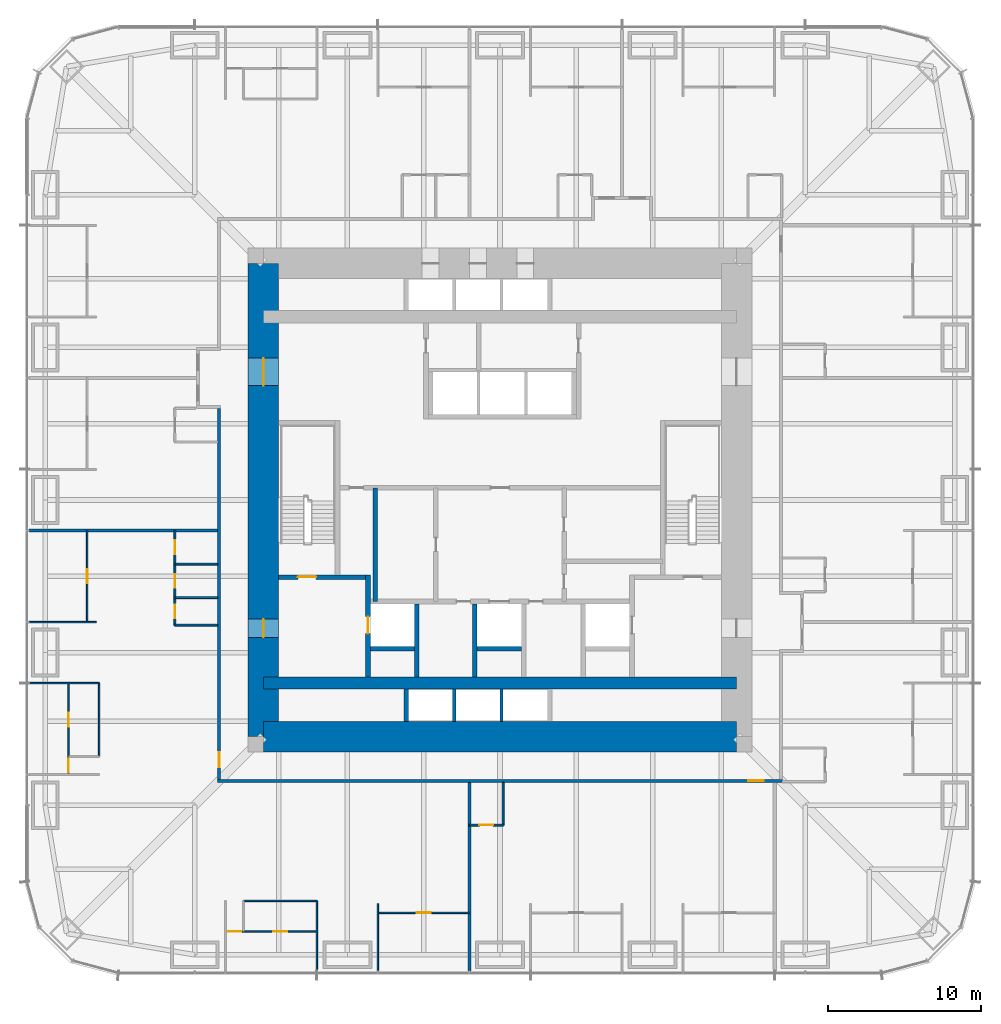
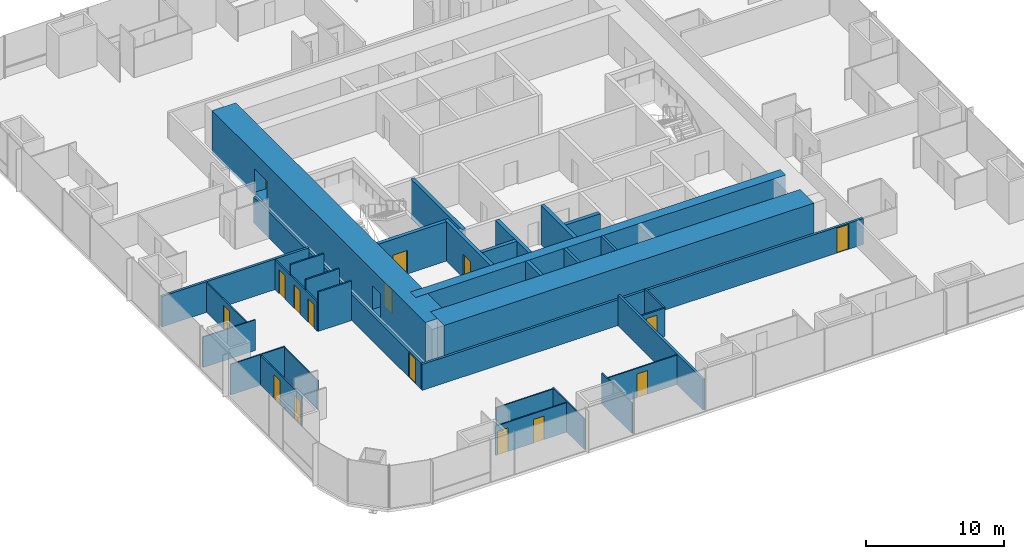
# One storey, part 12 of 17: 33 walls, 16 doors, 16 openings.
"""IFC4 building model written with IfcOpenShell, lengths in metres."""

from ifc_helpers import new_model, si_unit, direction, frame, frame_2d, origin, place, context, subcontext, project, spatial, rectangle, extrude, material, layer, layer_set, type_object, element, fill, save


model = new_model("IFC4")

# Units and contexts
model_context = context("Model", 3, precision=1e-05, world=origin(), true_north=direction((0.0, 1.0)))
body_context = subcontext(model_context, "Body", "Model", "MODEL_VIEW")
ifc_project = project(units=[si_unit("LENGTHUNIT", "METRE"), si_unit("AREAUNIT", "SQUARE_METRE"), si_unit("VOLUMEUNIT", "CUBIC_METRE"), si_unit("PLANEANGLEUNIT", "RADIAN"), si_unit("MASSUNIT", "GRAM", prefix="KILO")], contexts=[model_context])

# Site, building, storey
site_placement = place(None, origin())
site = spatial("IfcSite", under=ifc_project, at=site_placement, CompositionType="ELEMENT")
building_placement = place(site_placement, origin())
building = spatial("IfcBuilding", under=site, at=building_placement, Name="Khuree Lantern Residences", CompositionType="ELEMENT")
storey_placement = place(building_placement, frame((0.0, 0.0, 84.75)))
storey = spatial("IfcBuildingStorey", under=building, at=storey_placement, Name="L21", CompositionType="ELEMENT", Elevation=84.75)

# Wall, openings, doors
ifc_material_1 = material(Name="Moisture-resistant gypsum board on steel studs", Category="steel")
ifc_layer_1 = layer(ifc_material_1, 0.125)
ifc_layer_set_1 = layer_set([ifc_layer_1], Name="BATHROOM WALL BTW125")
wall_type_1 = type_object("IfcWallType", Name="BATHROOM WALL BTW125", PredefinedType="PARTITIONING", material=ifc_layer_set_1)
wall_1_placement = place(storey_placement, frame((-21.300048828125, -2.0, 0.0), z_axis=(0.0, 0.0, 1.0), x_axis=(0.0, -1.0, 0.0)))
wall_1 = element("IfcWall", 1, at=wall_1_placement, inside=storey, type_object=wall_type_1, Name="L21 BATHROOM WALL 07", PredefinedType="PARTITIONING", context=body_context, shape_type="SweptSolid", body=[
    extrude(rectangle(XDim=6.199951171875, YDim=0.125, at=frame_2d((3.10009765625, 0.0))), origin(), (0.0, 0.0, 1.0), 2.610107421875),
])
opening_1_placement = place(wall_1_placement, frame((0.64990234375, 0.0, 0.0)))
opening_1 = element("IfcOpeningElement", 2, at=opening_1_placement, cuts=wall_1, Name="Opening 21-050", PredefinedType="OPENING", context=body_context, shape_type="SweptSolid", body=[
    extrude(rectangle(XDim=0.89990234375, YDim=2.10009765625, at=frame_2d((0.449951171875, 1.050048828125))), frame((0.0, 0.072509765625, 0.0), z_axis=(0.0, -1.0, 0.0), x_axis=(1.0, 0.0, 0.0)), (0.0, 0.0, 1.0), 0.14501953125),
])
opening_2_placement = place(wall_1_placement, frame((2.85009765625, 0.0, 0.0)))
opening_2 = element("IfcOpeningElement", 3, at=opening_2_placement, cuts=wall_1, Name="Opening 21-051", PredefinedType="OPENING", context=body_context, shape_type="SweptSolid", body=[
    extrude(rectangle(XDim=0.89990234375, YDim=2.10009765625, at=frame_2d((0.449951171875, 1.050048828125))), frame((0.0, 0.072509765625, 0.0), z_axis=(0.0, -1.0, 0.0), x_axis=(1.0, 0.0, 0.0)), (0.0, 0.0, 1.0), 0.14501953125),
])
opening_3_placement = place(wall_1_placement, frame((4.85009765625, 0.0, 0.0)))
opening_3 = element("IfcOpeningElement", 4, at=opening_3_placement, cuts=wall_1, Name="Opening 21-052", PredefinedType="OPENING", context=body_context, shape_type="SweptSolid", body=[
    extrude(rectangle(XDim=0.89990234375, YDim=2.10009765625, at=frame_2d((0.449951171875, 1.050048828125))), frame((0.0, 0.072509765625, 0.0), z_axis=(0.0, -1.0, 0.0), x_axis=(1.0, 0.0, 0.0)), (0.0, 0.0, 1.0), 0.14501953125),
])
ifc_material_2 = material(Name="Timber door leaf in hardwood frame", Category="wood")
door_type_1 = type_object("IfcDoorType", Name="BATHROOM DOOR 900X2100", OperationType="SINGLE_SWING_LEFT", PredefinedType="DOOR", material=ifc_material_2)
door_1_placement = place(opening_1_placement, origin())
door_1 = element("IfcDoor", 5, at=door_1_placement, inside=storey, type_object=door_type_1, Name="Bathroom door 21-050", OperationType="SINGLE_SWING_LEFT", OverallHeight=2.10009765625, OverallWidth=0.89990234375, PredefinedType="DOOR", context=body_context, shape_type="SweptSolid", body=[
    extrude(rectangle(XDim=0.89990234375, YDim=2.10009765625, at=frame_2d((0.449951171875, 1.050048828125))), frame((0.0, 0.02490234375, 0.0), z_axis=(0.0, -1.0, 0.0), x_axis=(1.0, 0.0, 0.0)), (0.0, 0.0, 1.0), 0.050048828125),
])
fill(opening_1, door_1)
door_2_placement = place(opening_2_placement, origin())
door_2 = element("IfcDoor", 6, at=door_2_placement, inside=storey, type_object=door_type_1, Name="Bathroom door 21-051", OperationType="SINGLE_SWING_LEFT", OverallHeight=2.10009765625, OverallWidth=0.89990234375, PredefinedType="DOOR", context=body_context, shape_type="SweptSolid", body=[
    extrude(rectangle(XDim=0.89990234375, YDim=2.10009765625, at=frame_2d((0.449951171875, 1.050048828125))), frame((0.0, 0.02490234375, 0.0), z_axis=(0.0, -1.0, 0.0), x_axis=(1.0, 0.0, 0.0)), (0.0, 0.0, 1.0), 0.050048828125),
])
fill(opening_2, door_2)
door_type_2 = type_object("IfcDoorType", Name="DOOR 900X2100", OperationType="SINGLE_SWING_LEFT", PredefinedType="DOOR", material=ifc_material_2)
door_3_placement = place(opening_3_placement, origin())
door_3 = element("IfcDoor", 7, at=door_3_placement, inside=storey, type_object=door_type_2, Name="Store door 21-052", OperationType="SINGLE_SWING_LEFT", OverallHeight=2.10009765625, OverallWidth=0.89990234375, PredefinedType="DOOR", context=body_context, shape_type="SweptSolid", body=[
    extrude(rectangle(XDim=0.89990234375, YDim=2.10009765625, at=frame_2d((0.449951171875, 1.050048828125))), frame((0.0, 0.02490234375, 0.0), z_axis=(0.0, -1.0, 0.0), x_axis=(1.0, 0.0, 0.0)), (0.0, 0.0, 1.0), 0.050048828125),
])
fill(opening_3, door_3)

# Walls
for number, where, z_axis, x_axis, name in (
    (8, (-18.5, -4.199951171875, 0.0), (0.0, 0.0, 1.0), (-1.0, 0.0, 0.0), "L21 BATHROOM WALL 07"),
    (9, (-18.5, -6.39990234375, 0.0), (0.0, 0.0, 1.0), (-1.0, 0.0, 0.0), "L21 BATHROOM WALL 07"),
    (10, (-18.5, -8.199951171875, 0.0), (0.0, 0.0, 1.0), (-1.0, 0.0, 0.0), "L21 BATHROOM WALL 07"),
):
    element("IfcWall", number, at=place(storey_placement, frame(where, z_axis=z_axis, x_axis=x_axis)), inside=storey, type_object=wall_type_1, Name=name, PredefinedType="PARTITIONING", context=body_context, shape_type="SweptSolid", body=[
        extrude(rectangle(XDim=2.800048828125, YDim=0.125, at=frame_2d((1.39990234375, 0.0))), origin(), (0.0, 0.0, 1.0), 3.5),
    ])

# Wall, opening, door
wall_2_placement = place(storey_placement, frame((-2.0, -21.300048828125, 0.0), z_axis=(0.0, 0.0, 1.0), x_axis=(1.0, 0.0, 0.0)))
wall_2 = element("IfcWall", 11, at=wall_2_placement, inside=storey, type_object=wall_type_1, Name="L21 BATHROOM WALL 08", PredefinedType="PARTITIONING", context=body_context, shape_type="SweptSolid", body=[
    extrude(rectangle(XDim=2.199951171875, YDim=0.125, at=frame_2d((1.10009765625, 0.0))), origin(), (0.0, 0.0, 1.0), 2.491943359375),
])
opening_4_placement = place(wall_2_placement, frame((0.64990234375, 0.0, 0.0)))
opening_4 = element("IfcOpeningElement", 12, at=opening_4_placement, cuts=wall_2, Name="Opening 21-056", PredefinedType="OPENING", context=body_context, shape_type="SweptSolid", body=[
    extrude(rectangle(XDim=0.89990234375, YDim=2.10009765625, at=frame_2d((0.449951171875, 1.050048828125))), frame((0.0, 0.072509765625, 0.0), z_axis=(0.0, -1.0, 0.0), x_axis=(1.0, 0.0, 0.0)), (0.0, 0.0, 1.0), 0.14501953125),
])
door_4_placement = place(opening_4_placement, origin())
door_4 = element("IfcDoor", 13, at=door_4_placement, inside=storey, type_object=door_type_1, Name="Bathroom door 21-056", OperationType="SINGLE_SWING_LEFT", OverallHeight=2.10009765625, OverallWidth=0.89990234375, PredefinedType="DOOR", context=body_context, shape_type="SweptSolid", body=[
    extrude(rectangle(XDim=0.89990234375, YDim=2.10009765625, at=frame_2d((0.449951171875, 1.050048828125))), frame((0.0, 0.02490234375, 0.0), z_axis=(0.0, -1.0, 0.0), x_axis=(1.0, 0.0, 0.0)), (0.0, 0.0, 1.0), 0.050048828125),
])
fill(opening_4, door_4)

# Wall
wall_3_placement = place(storey_placement, frame((0.199951171875, -18.5, 0.0), z_axis=(0.0, 0.0, 1.0), x_axis=(0.0, -1.0, 0.0)))
element("IfcWall", 14, at=wall_3_placement, inside=storey, type_object=wall_type_1, Name="L21 BATHROOM WALL 08", PredefinedType="PARTITIONING", context=body_context, shape_type="SweptSolid", body=[
    extrude(rectangle(XDim=2.800048828125, YDim=0.125, at=frame_2d((1.39990234375, 0.0))), origin(), (0.0, 0.0, 1.0), 2.491943359375),
])

# Wall, opening, door
ifc_material_3 = material(Name="Dense concrete blockwork", Category="masonry")
ifc_layer_2 = layer(ifc_material_3, 0.300048828125)
ifc_layer_set_2 = layer_set([ifc_layer_2], Name="CORE PARTITION WALL CPW300 EI 120")
wall_type_2 = type_object("IfcWallType", Name="CORE PARTITION WALL CPW300 EI 120", PredefinedType="PARTITIONING", material=ifc_layer_set_2)
wall_4_placement = place(storey_placement, frame((-8.64990234375, -11.60009765625, 0.0), z_axis=(0.0, 0.0, 1.0), x_axis=(0.0, 1.0, 0.0)))
wall_4 = element("IfcWall", 15, at=wall_4_placement, inside=storey, type_object=wall_type_2, Name="L21 CORE WALL FL1W", PredefinedType="PARTITIONING", context=body_context, shape_type="SweptSolid", body=[
    extrude(rectangle(XDim=6.7001953125, YDim=0.300048828125, at=frame_2d((3.35009765625, 0.0))), origin(), (0.0, 0.0, 1.0), 3.5),
])
opening_5_placement = place(wall_4_placement, frame((2.85009765625, 0.0, 0.0)))
opening_5 = element("IfcOpeningElement", 16, at=opening_5_placement, cuts=wall_4, Name="Opening 21-007", PredefinedType="OPENING", context=body_context, shape_type="SweptSolid", body=[
    extrude(rectangle(XDim=1.10009765625, YDim=2.10009765625, at=frame_2d((0.550048828125, 1.050048828125))), frame((0.0, 0.16015625, 0.0), z_axis=(0.0, -1.0, 0.0), x_axis=(1.0, 0.0, 0.0)), (0.0, 0.0, 1.0), 0.320068359375),
])
ifc_material_4 = material(Name="Stainless steel lift landing door", Category="steel")
door_type_3 = type_object("IfcDoorType", Name="LIFT LANDING DOOR 1100X2100 E 120", OperationType="DOUBLE_DOOR_SLIDING", PredefinedType="DOOR", material=ifc_material_4)
door_5_placement = place(opening_5_placement, origin())
door_5 = element("IfcDoor", 17, at=door_5_placement, inside=storey, type_object=door_type_3, Name="Landing door FL1 21-007", OperationType="DOUBLE_DOOR_SLIDING", OverallHeight=2.10009765625, OverallWidth=1.10009765625, PredefinedType="DOOR", context=body_context, shape_type="SweptSolid", body=[
    extrude(rectangle(XDim=1.10009765625, YDim=2.10009765625, at=frame_2d((0.550048828125, 1.050048828125))), frame((0.0, 0.02490234375, 0.0), z_axis=(0.0, -1.0, 0.0), x_axis=(1.0, 0.0, 0.0)), (0.0, 0.0, 1.0), 0.050048828125),
])
fill(opening_5, door_5)

# Walls
for number, where, z_axis, x_axis, name in (
    (18, (-5.449951171875, -11.60009765625, 0.0), (0.0, 0.0, 1.0), (0.0, 1.0, 0.0), "L21 CORE WALL FL1E"),
    (19, (-1.64990234375, -11.60009765625, 0.0), (0.0, 0.0, 1.0), (0.0, 1.0, 0.0), "L21 CORE WALL SL1W"),
):
    element("IfcWall", number, at=place(storey_placement, frame(where, z_axis=z_axis, x_axis=x_axis)), inside=storey, type_object=wall_type_2, Name=name, PredefinedType="PARTITIONING", context=body_context, shape_type="SweptSolid", body=[
        extrude(rectangle(XDim=4.800048828125, YDim=0.300048828125, at=frame_2d((2.39990234375, 0.0))), origin(), (0.0, 0.0, 1.0), 3.5),
    ])
for number, where, z_axis, x_axis, name in (
    (20, (-8.5, -9.75, 0.0), (0.0, 0.0, 1.0), (1.0, 0.0, 0.0), "L21 CORE WALL FL1S"),
    (21, (-1.5, -9.75, 0.0), (0.0, 0.0, 1.0), (1.0, 0.0, 0.0), "L21 CORE WALL SL1S"),
):
    element("IfcWall", number, at=place(storey_placement, frame(where, z_axis=z_axis, x_axis=x_axis)), inside=storey, type_object=wall_type_2, Name=name, PredefinedType="PARTITIONING", context=body_context, shape_type="SweptSolid", body=[
        extrude(rectangle(XDim=2.89990234375, YDim=0.300048828125, at=frame_2d((1.449951171875, 0.0))), origin(), (0.0, 0.0, 1.0), 3.5),
    ])
wall_5_placement = place(storey_placement, frame((-6.14990234375, -14.5, 0.0), z_axis=(0.0, 0.0, 1.0), x_axis=(0.0, 1.0, 0.0)))
element("IfcWall", 22, at=wall_5_placement, inside=storey, type_object=wall_type_2, Name="L21 CORE WALL PMW", PredefinedType="PARTITIONING", context=body_context, shape_type="SweptSolid", body=[
    extrude(rectangle(XDim=2.10009765625, YDim=0.300048828125, at=frame_2d((1.050048828125, 0.0))), origin(), (0.0, 0.0, 1.0), 3.5),
])
wall_6_placement = place(storey_placement, frame((-8.1630859375, -6.64990234375, 0.0), z_axis=(0.0, 0.0, 1.0), x_axis=(0.0, 1.0, 0.0)))
element("IfcWall", 23, at=wall_6_placement, inside=storey, type_object=wall_type_2, Name="L21 CORE WALL WV", PredefinedType="PARTITIONING", context=body_context, shape_type="SweptSolid", body=[
    extrude(rectangle(XDim=7.449951171875, YDim=0.300048828125, at=frame_2d((3.72509765625, 0.0))), origin(), (0.0, 0.0, 1.0), 3.5),
])

# Wall, opening, door
ifc_material_5 = material(Name="Gypsum board on steel studs", Category="steel")
ifc_layer_3 = layer(ifc_material_5, 0.199951171875)
ifc_layer_set_3 = layer_set([ifc_layer_3], Name="CORRIDOR WALL CRW200 EI 60")
wall_type_3 = type_object("IfcWallType", Name="CORRIDOR WALL CRW200 EI 60", PredefinedType="PARTITIONING", material=ifc_layer_set_3)
wall_7_placement = place(storey_placement, frame((-18.39990234375, 6.0, 0.0), z_axis=(0.0, 0.0, 1.0), x_axis=(0.0, -1.0, 0.0)))
wall_7 = element("IfcWall", 24, at=wall_7_placement, inside=storey, type_object=wall_type_3, Name="L21 CORRIDOR WALL WEST 2", PredefinedType="PARTITIONING", context=body_context, shape_type="SweptSolid", body=[
    extrude(rectangle(XDim=24.300048828125, YDim=0.199951171875, at=frame_2d((12.14990234375, 0.0))), origin(), (0.0, 0.0, 1.0), 2.300048828125),
])
opening_6_placement = place(wall_7_placement, frame((22.52001953125, 0.0, 0.0)))
opening_6 = element("IfcOpeningElement", 25, at=opening_6_placement, cuts=wall_7, Name="Opening 21-053", PredefinedType="OPENING", context=body_context, shape_type="SweptSolid", body=[
    extrude(rectangle(XDim=1.0, YDim=2.199951171875, at=frame_2d((0.5, 1.10009765625))), frame((0.0, 0.10986328125, 0.0), z_axis=(0.0, -1.0, 0.0), x_axis=(1.0, 0.0, 0.0)), (0.0, 0.0, 1.0), 0.219970703125),
])
door_type_4 = type_object("IfcDoorType", Name="APARTMENT ENTRANCE DOOR 1000X2200 EI 30S RIGHT HAND", OperationType="SINGLE_SWING_RIGHT", PredefinedType="DOOR", material=ifc_material_2)
door_6_placement = place(opening_6_placement, origin())
door_6 = element("IfcDoor", 26, at=door_6_placement, inside=storey, type_object=door_type_4, Name="Apartment 07 entrance door 21-053", OperationType="SINGLE_SWING_RIGHT", OverallHeight=2.199951171875, OverallWidth=1.0, PredefinedType="DOOR", context=body_context, shape_type="SweptSolid", body=[
    extrude(rectangle(XDim=1.0, YDim=2.199951171875, at=frame_2d((0.5, 1.10009765625))), frame((0.0, 0.02490234375, 0.0), z_axis=(0.0, -1.0, 0.0), x_axis=(1.0, 0.0, 0.0)), (0.0, 0.0, 1.0), 0.050048828125),
])
fill(opening_6, door_6)

wall_8_placement = place(storey_placement, frame((18.5, -18.39990234375, 0.0), z_axis=(0.0, 0.0, 1.0), x_axis=(-1.0, 0.0, 0.0)))
wall_8 = element("IfcWall", 27, at=wall_8_placement, inside=storey, type_object=wall_type_3, Name="L21 CORRIDOR WALL SOUTH 1", PredefinedType="PARTITIONING", context=body_context, shape_type="SweptSolid", body=[
    extrude(rectangle(XDim=37.0, YDim=0.199951171875, at=frame_2d((18.5, 0.0))), origin(), (0.0, 0.0, 1.0), 2.300048828125),
])
opening_7_placement = place(wall_8_placement, frame((1.22998046875, 0.0, 0.0)))
opening_7 = element("IfcOpeningElement", 28, at=opening_7_placement, cuts=wall_8, Name="Opening 21-057", PredefinedType="OPENING", context=body_context, shape_type="SweptSolid", body=[
    extrude(rectangle(XDim=1.0, YDim=2.199951171875, at=frame_2d((0.5, 1.10009765625))), frame((0.0, 0.10986328125, 0.0), z_axis=(0.0, -1.0, 0.0), x_axis=(1.0, 0.0, 0.0)), (0.0, 0.0, 1.0), 0.219970703125),
])
door_type_5 = type_object("IfcDoorType", Name="APARTMENT ENTRANCE DOOR 1000X2200 EI 30S", OperationType="SINGLE_SWING_LEFT", PredefinedType="DOOR", material=ifc_material_2)
door_7_placement = place(opening_7_placement, origin())
door_7 = element("IfcDoor", 29, at=door_7_placement, inside=storey, type_object=door_type_5, Name="Apartment 08 entrance door 21-057", OperationType="SINGLE_SWING_LEFT", OverallHeight=2.199951171875, OverallWidth=1.0, PredefinedType="DOOR", context=body_context, shape_type="SweptSolid", body=[
    extrude(rectangle(XDim=1.0, YDim=2.199951171875, at=frame_2d((0.5, 1.10009765625))), frame((0.0, 0.02490234375, 0.0), z_axis=(0.0, -1.0, 0.0), x_axis=(1.0, 0.0, 0.0)), (0.0, 0.0, 1.0), 0.050048828125),
])
fill(opening_7, door_7)

# Wall
ifc_material_6 = material(Name="Concrete C70/85", Category="concrete")
ifc_layer_4 = layer(ifc_material_6, 2.0)
ifc_layer_set_4 = layer_set([ifc_layer_4], Name="CW2000-C70 CORE WALL C70 2000")
wall_type_4 = type_object("IfcWallType", Name="CW2000-C70 CORE WALL C70 2000", PredefinedType="SHEAR", material=ifc_layer_set_4)
wall_9_placement = place(storey_placement, frame((-15.5, -15.5, -0.25), z_axis=(0.0, 0.0, 1.0), x_axis=(1.0, 0.0, 0.0)))
element("IfcWall", 30, at=wall_9_placement, inside=storey, type_object=wall_type_4, Name="Core wall S", PredefinedType="SHEAR", context=body_context, shape_type="SweptSolid", body=[
    extrude(rectangle(XDim=31.0, YDim=2.0, at=frame_2d((15.5, 0.0))), origin(), (0.0, 0.0, 1.0), 3.75),
])

# Wall, openings, doors
wall_10_placement = place(storey_placement, frame((-15.5, -15.5, -0.25), z_axis=(0.0, 0.0, 1.0), x_axis=(0.0, 1.0, 0.0)))
wall_10 = element("IfcWall", 31, at=wall_10_placement, inside=storey, type_object=wall_type_4, Name="Core wall W", PredefinedType="SHEAR", context=body_context, shape_type="SweptSolid", body=[
    extrude(rectangle(XDim=31.0, YDim=2.0, at=frame_2d((15.5, 0.0))), origin(), (0.0, 0.0, 1.0), 3.75),
])
opening_8_placement = place(wall_10_placement, frame((6.5, 0.0, 0.25)))
opening_8 = element("IfcOpeningElement", 32, at=opening_8_placement, cuts=wall_10, Name="Opening 21-002", PredefinedType="OPENING", context=body_context, shape_type="SweptSolid", body=[
    extrude(rectangle(XDim=1.199951171875, YDim=2.10009765625, at=frame_2d((0.60009765625, 1.050048828125))), frame((0.0, 1.010009765625, 0.0), z_axis=(0.0, -1.0, 0.0), x_axis=(1.0, 0.0, 0.0)), (0.0, 0.0, 1.0), 2.02001953125),
])
opening_9_placement = place(wall_10_placement, frame((23.0, 0.0, 0.25)))
opening_9 = element("IfcOpeningElement", 33, at=opening_9_placement, cuts=wall_10, Name="Opening 21-003", PredefinedType="OPENING", context=body_context, shape_type="SweptSolid", body=[
    extrude(rectangle(XDim=1.800048828125, YDim=2.10009765625, at=frame_2d((0.89990234375, 1.050048828125))), frame((0.0, 1.010009765625, 0.0), z_axis=(0.0, -1.0, 0.0), x_axis=(1.0, 0.0, 0.0)), (0.0, 0.0, 1.0), 2.02001953125),
])
ifc_material_7 = material(Name="Steel door leaf in steel frame", Category="steel")
door_type_6 = type_object("IfcDoorType", Name="LOBBY DOOR 1200X2100 EI 120", OperationType="SINGLE_SWING_LEFT", PredefinedType="DOOR", material=ifc_material_7)
door_8_placement = place(opening_8_placement, origin())
door_8 = element("IfcDoor", 34, at=door_8_placement, inside=storey, type_object=door_type_6, Name="Firefighting lobby door 21-002", OperationType="SINGLE_SWING_LEFT", OverallHeight=2.10009765625, OverallWidth=1.199951171875, PredefinedType="DOOR", context=body_context, shape_type="SweptSolid", body=[
    extrude(rectangle(XDim=1.199951171875, YDim=2.10009765625, at=frame_2d((0.60009765625, 1.050048828125))), frame((0.0, 0.02490234375, 0.0), z_axis=(0.0, -1.0, 0.0), x_axis=(1.0, 0.0, 0.0)), (0.0, 0.0, 1.0), 0.050048828125),
])
fill(opening_8, door_8)
door_type_7 = type_object("IfcDoorType", Name="LOBBY DOUBLE DOOR 1800X2100 EI 60", OperationType="DOUBLE_DOOR_SINGLE_SWING", PredefinedType="DOOR", material=ifc_material_7)
door_9_placement = place(opening_9_placement, origin())
door_9 = element("IfcDoor", 35, at=door_9_placement, inside=storey, type_object=door_type_7, Name="Lift lobby door 21-003", OperationType="DOUBLE_DOOR_SINGLE_SWING", OverallHeight=2.10009765625, OverallWidth=1.800048828125, PredefinedType="DOOR", context=body_context, shape_type="SweptSolid", body=[
    extrude(rectangle(XDim=1.800048828125, YDim=2.10009765625, at=frame_2d((0.89990234375, 1.050048828125))), frame((0.0, 0.02490234375, 0.0), z_axis=(0.0, -1.0, 0.0), x_axis=(1.0, 0.0, 0.0)), (0.0, 0.0, 1.0), 0.050048828125),
])
fill(opening_9, door_9)

# Walls
ifc_layer_5 = layer(ifc_material_5, 0.199951171875)
ifc_layer_set_5 = layer_set([ifc_layer_5], Name="DEMISING WALL DMW200 EI 90")
wall_type_5 = type_object("IfcWallType", Name="DEMISING WALL DMW200 EI 90", PredefinedType="PARTITIONING", material=ifc_layer_set_5)
for number, where, z_axis, x_axis, name in (
    (36, (-18.5, -2.0, 0.0), (0.0, 0.0, 1.0), (-1.0, 0.0, 0.0), "L21 DEMISING WALL 07"),
    (37, (-2.0, -18.5, 0.0), (0.0, 0.0, 1.0), (0.0, -1.0, 0.0), "L21 DEMISING WALL 08"),
):
    element("IfcWall", number, at=place(storey_placement, frame(where, z_axis=z_axis, x_axis=x_axis)), inside=storey, type_object=wall_type_5, Name=name, PredefinedType="PARTITIONING", context=body_context, shape_type="SweptSolid", body=[
        extrude(rectangle(XDim=12.35009765625, YDim=0.199951171875, at=frame_2d((6.175048828125, 0.0))), origin(), (0.0, 0.0, 1.0), 2.7099609375),
    ])
ifc_layer_6 = layer(ifc_material_5, 0.10009765625)
ifc_layer_set_6 = layer_set([ifc_layer_6], Name="PARTITION PT100")
wall_type_6 = type_object("IfcWallType", Name="PARTITION PT100", PredefinedType="PARTITIONING", material=ifc_layer_set_6)
wall_11_placement = place(storey_placement, frame((-26.449951171875, -8.0, 0.0), z_axis=(0.0, 0.0, 1.0), x_axis=(-1.0, 0.0, 0.0)))
element("IfcWall", 38, at=wall_11_placement, inside=storey, type_object=wall_type_6, Name="L21 PARTITION 07", PredefinedType="PARTITIONING", context=body_context, shape_type="SweptSolid", body=[
    extrude(rectangle(XDim=4.400146484375, YDim=0.10009765625, at=frame_2d((2.2001953125, 0.0))), origin(), (0.0, 0.0, 1.0), 2.7099609375),
])
for number, where, z_axis, x_axis, name in (
    (39, (-26.2666015625, -12.0, 0.0), (0.0, 0.0, 1.0), (-1.0, 0.0, 0.0), "L21 PARTITION 07"),
    (40, (-12.0, -26.2666015625, 0.0), (0.0, 0.0, 1.0), (0.0, -1.0, 0.0), "L21 PARTITION 07"),
):
    element("IfcWall", number, at=place(storey_placement, frame(where, z_axis=z_axis, x_axis=x_axis)), inside=storey, type_object=wall_type_6, Name=name, PredefinedType="PARTITIONING", context=body_context, shape_type="SweptSolid", body=[
        extrude(rectangle(XDim=4.58349609375, YDim=0.10009765625, at=frame_2d((2.291748046875, 0.0))), origin(), (0.0, 0.0, 1.0), 2.7099609375),
    ])
wall_12_placement = place(storey_placement, frame((-8.0, -26.449951171875, 0.0), z_axis=(0.0, 0.0, 1.0), x_axis=(0.0, -1.0, 0.0)))
element("IfcWall", 41, at=wall_12_placement, inside=storey, type_object=wall_type_6, Name="L21 PARTITION 07", PredefinedType="PARTITIONING", context=body_context, shape_type="SweptSolid", body=[
    extrude(rectangle(XDim=4.400146484375, YDim=0.10009765625, at=frame_2d((2.2001953125, 0.0))), origin(), (0.0, 0.0, 1.0), 2.7099609375),
])

# Wall, opening, door
wall_13_placement = place(storey_placement, frame((-27.050048828125, -2.0, 0.0), z_axis=(0.0, 0.0, 1.0), x_axis=(0.0, -1.0, 0.0)))
wall_13 = element("IfcWall", 42, at=wall_13_placement, inside=storey, type_object=wall_type_6, Name="L21 PARTITION 07", PredefinedType="PARTITIONING", context=body_context, shape_type="SweptSolid", body=[
    extrude(rectangle(XDim=6.0, YDim=0.10009765625, at=frame_2d((3.0, 0.0))), origin(), (0.0, 0.0, 1.0), 2.610107421875),
])
opening_10_placement = place(wall_13_placement, frame((2.550048828125, 0.0, 0.0)))
opening_10 = element("IfcOpeningElement", 43, at=opening_10_placement, cuts=wall_13, Name="Opening 21-044", PredefinedType="OPENING", context=body_context, shape_type="SweptSolid", body=[
    extrude(rectangle(XDim=0.89990234375, YDim=2.10009765625, at=frame_2d((0.449951171875, 1.050048828125))), frame((0.0, 0.06005859375, 0.0), z_axis=(0.0, -1.0, 0.0), x_axis=(1.0, 0.0, 0.0)), (0.0, 0.0, 1.0), 0.1201171875),
])
door_type_8 = type_object("IfcDoorType", Name="BEDROOM DOOR 900X2100", OperationType="SINGLE_SWING_LEFT", PredefinedType="DOOR", material=ifc_material_2)
door_10_placement = place(opening_10_placement, origin())
door_10 = element("IfcDoor", 44, at=door_10_placement, inside=storey, type_object=door_type_8, Name="Bedroom door 21-044", OperationType="SINGLE_SWING_LEFT", OverallHeight=2.10009765625, OverallWidth=0.89990234375, PredefinedType="DOOR", context=body_context, shape_type="SweptSolid", body=[
    extrude(rectangle(XDim=0.89990234375, YDim=2.10009765625, at=frame_2d((0.449951171875, 1.050048828125))), frame((0.0, 0.02490234375, 0.0), z_axis=(0.0, -1.0, 0.0), x_axis=(1.0, 0.0, 0.0)), (0.0, 0.0, 1.0), 0.050048828125),
])
fill(opening_10, door_10)

# Wall, openings, doors
wall_14_placement = place(storey_placement, frame((-28.2666015625, -12.0, 0.0), z_axis=(0.0, 0.0, 1.0), x_axis=(0.0, -1.0, 0.0)))
wall_14 = element("IfcWall", 45, at=wall_14_placement, inside=storey, type_object=wall_type_6, Name="L21 PARTITION 07", PredefinedType="PARTITIONING", context=body_context, shape_type="SweptSolid", body=[
    extrude(rectangle(XDim=6.0, YDim=0.10009765625, at=frame_2d((3.0, 0.0))), origin(), (0.0, 0.0, 1.0), 2.610107421875),
])
opening_11_placement = place(wall_14_placement, frame((4.949951171875, 0.0, 0.0)))
opening_11 = element("IfcOpeningElement", 46, at=opening_11_placement, cuts=wall_14, Name="Opening 21-045", PredefinedType="OPENING", context=body_context, shape_type="SweptSolid", body=[
    extrude(rectangle(XDim=0.89990234375, YDim=2.10009765625, at=frame_2d((0.449951171875, 1.050048828125))), frame((0.0, 0.06005859375, 0.0), z_axis=(0.0, -1.0, 0.0), x_axis=(1.0, 0.0, 0.0)), (0.0, 0.0, 1.0), 0.1201171875),
])
opening_12_placement = place(wall_14_placement, frame((1.949951171875, 0.0, 0.0)))
opening_12 = element("IfcOpeningElement", 47, at=opening_12_placement, cuts=wall_14, Name="Opening 21-046", PredefinedType="OPENING", context=body_context, shape_type="SweptSolid", body=[
    extrude(rectangle(XDim=0.89990234375, YDim=2.10009765625, at=frame_2d((0.449951171875, 1.050048828125))), frame((0.0, 0.06005859375, 0.0), z_axis=(0.0, -1.0, 0.0), x_axis=(1.0, 0.0, 0.0)), (0.0, 0.0, 1.0), 0.1201171875),
])
door_11_placement = place(opening_11_placement, origin())
door_11 = element("IfcDoor", 48, at=door_11_placement, inside=storey, type_object=door_type_8, Name="Bedroom door 21-045", OperationType="SINGLE_SWING_LEFT", OverallHeight=2.10009765625, OverallWidth=0.89990234375, PredefinedType="DOOR", context=body_context, shape_type="SweptSolid", body=[
    extrude(rectangle(XDim=0.89990234375, YDim=2.10009765625, at=frame_2d((0.449951171875, 1.050048828125))), frame((0.0, 0.02490234375, 0.0), z_axis=(0.0, -1.0, 0.0), x_axis=(1.0, 0.0, 0.0)), (0.0, 0.0, 1.0), 0.050048828125),
])
fill(opening_11, door_11)
door_12_placement = place(opening_12_placement, origin())
door_12 = element("IfcDoor", 49, at=door_12_placement, inside=storey, type_object=door_type_2, Name="Wardrobe door 21-046", OperationType="SINGLE_SWING_LEFT", OverallHeight=2.10009765625, OverallWidth=0.89990234375, PredefinedType="DOOR", context=body_context, shape_type="SweptSolid", body=[
    extrude(rectangle(XDim=0.89990234375, YDim=2.10009765625, at=frame_2d((0.449951171875, 1.050048828125))), frame((0.0, 0.02490234375, 0.0), z_axis=(0.0, -1.0, 0.0), x_axis=(1.0, 0.0, 0.0)), (0.0, 0.0, 1.0), 0.050048828125),
])
fill(opening_12, door_12)

# Wall
wall_15_placement = place(storey_placement, frame((-26.2666015625, -12.0, 0.0), z_axis=(0.0, 0.0, 1.0), x_axis=(0.0, -1.0, 0.0)))
element("IfcWall", 50, at=wall_15_placement, inside=storey, type_object=wall_type_6, Name="L21 PARTITION 07", PredefinedType="PARTITIONING", context=body_context, shape_type="SweptSolid", body=[
    extrude(rectangle(XDim=4.800048828125, YDim=0.10009765625, at=frame_2d((2.39990234375, 0.0))), origin(), (0.0, 0.0, 1.0), 2.610107421875),
])

# Wall, openings, doors
wall_16_placement = place(storey_placement, frame((-18.0, -28.2666015625, 0.0), z_axis=(0.0, 0.0, 1.0), x_axis=(1.0, 0.0, 0.0)))
wall_16 = element("IfcWall", 51, at=wall_16_placement, inside=storey, type_object=wall_type_6, Name="L21 PARTITION 07", PredefinedType="PARTITIONING", context=body_context, shape_type="SweptSolid", body=[
    extrude(rectangle(XDim=6.0, YDim=0.10009765625, at=frame_2d((3.0, 0.0))), origin(), (0.0, 0.0, 1.0), 2.610107421875),
])
opening_13_placement = place(wall_16_placement, frame((0.14990234375, 0.0, 0.0)))
opening_13 = element("IfcOpeningElement", 52, at=opening_13_placement, cuts=wall_16, Name="Opening 21-047", PredefinedType="OPENING", context=body_context, shape_type="SweptSolid", body=[
    extrude(rectangle(XDim=0.89990234375, YDim=2.10009765625, at=frame_2d((0.449951171875, 1.050048828125))), frame((0.0, 0.06005859375, 0.0), z_axis=(0.0, -1.0, 0.0), x_axis=(1.0, 0.0, 0.0)), (0.0, 0.0, 1.0), 0.1201171875),
])
opening_14_placement = place(wall_16_placement, frame((3.14990234375, 0.0, 0.0)))
opening_14 = element("IfcOpeningElement", 53, at=opening_14_placement, cuts=wall_16, Name="Opening 21-048", PredefinedType="OPENING", context=body_context, shape_type="SweptSolid", body=[
    extrude(rectangle(XDim=0.89990234375, YDim=2.10009765625, at=frame_2d((0.449951171875, 1.050048828125))), frame((0.0, 0.06005859375, 0.0), z_axis=(0.0, -1.0, 0.0), x_axis=(1.0, 0.0, 0.0)), (0.0, 0.0, 1.0), 0.1201171875),
])
door_13_placement = place(opening_13_placement, origin())
door_13 = element("IfcDoor", 54, at=door_13_placement, inside=storey, type_object=door_type_8, Name="Bedroom door 21-047", OperationType="SINGLE_SWING_LEFT", OverallHeight=2.10009765625, OverallWidth=0.89990234375, PredefinedType="DOOR", context=body_context, shape_type="SweptSolid", body=[
    extrude(rectangle(XDim=0.89990234375, YDim=2.10009765625, at=frame_2d((0.449951171875, 1.050048828125))), frame((0.0, 0.02490234375, 0.0), z_axis=(0.0, -1.0, 0.0), x_axis=(1.0, 0.0, 0.0)), (0.0, 0.0, 1.0), 0.050048828125),
])
fill(opening_13, door_13)
door_14_placement = place(opening_14_placement, origin())
door_14 = element("IfcDoor", 55, at=door_14_placement, inside=storey, type_object=door_type_2, Name="Wardrobe door 21-048", OperationType="SINGLE_SWING_LEFT", OverallHeight=2.10009765625, OverallWidth=0.89990234375, PredefinedType="DOOR", context=body_context, shape_type="SweptSolid", body=[
    extrude(rectangle(XDim=0.89990234375, YDim=2.10009765625, at=frame_2d((0.449951171875, 1.050048828125))), frame((0.0, 0.02490234375, 0.0), z_axis=(0.0, -1.0, 0.0), x_axis=(1.0, 0.0, 0.0)), (0.0, 0.0, 1.0), 0.050048828125),
])
fill(opening_14, door_14)

# Wall
wall_17_placement = place(storey_placement, frame((-16.800048828125, -26.2666015625, 0.0), z_axis=(0.0, 0.0, 1.0), x_axis=(1.0, 0.0, 0.0)))
element("IfcWall", 56, at=wall_17_placement, inside=storey, type_object=wall_type_6, Name="L21 PARTITION 07", PredefinedType="PARTITIONING", context=body_context, shape_type="SweptSolid", body=[
    extrude(rectangle(XDim=4.800048828125, YDim=0.10009765625, at=frame_2d((2.39990234375, 0.0))), origin(), (0.0, 0.0, 1.0), 2.610107421875),
])

# Wall, opening, door
wall_18_placement = place(storey_placement, frame((-8.0, -27.050048828125, 0.0), z_axis=(0.0, 0.0, 1.0), x_axis=(1.0, 0.0, 0.0)))
wall_18 = element("IfcWall", 57, at=wall_18_placement, inside=storey, type_object=wall_type_6, Name="L21 PARTITION 07", PredefinedType="PARTITIONING", context=body_context, shape_type="SweptSolid", body=[
    extrude(rectangle(XDim=6.0, YDim=0.10009765625, at=frame_2d((3.0, 0.0))), origin(), (0.0, 0.0, 1.0), 2.610107421875),
])
opening_15_placement = place(wall_18_placement, frame((2.550048828125, 0.0, 0.0)))
opening_15 = element("IfcOpeningElement", 58, at=opening_15_placement, cuts=wall_18, Name="Opening 21-049", PredefinedType="OPENING", context=body_context, shape_type="SweptSolid", body=[
    extrude(rectangle(XDim=0.89990234375, YDim=2.10009765625, at=frame_2d((0.449951171875, 1.050048828125))), frame((0.0, 0.06005859375, 0.0), z_axis=(0.0, -1.0, 0.0), x_axis=(1.0, 0.0, 0.0)), (0.0, 0.0, 1.0), 0.1201171875),
])
door_15_placement = place(opening_15_placement, origin())
door_15 = element("IfcDoor", 59, at=door_15_placement, inside=storey, type_object=door_type_8, Name="Bedroom door 21-049", OperationType="SINGLE_SWING_LEFT", OverallHeight=2.10009765625, OverallWidth=0.89990234375, PredefinedType="DOOR", context=body_context, shape_type="SweptSolid", body=[
    extrude(rectangle(XDim=0.89990234375, YDim=2.10009765625, at=frame_2d((0.449951171875, 1.050048828125))), frame((0.0, 0.02490234375, 0.0), z_axis=(0.0, -1.0, 0.0), x_axis=(1.0, 0.0, 0.0)), (0.0, 0.0, 1.0), 0.050048828125),
])
fill(opening_15, door_15)

# Walls
ifc_layer_7 = layer(ifc_material_3, 0.199951171875)
ifc_layer_set_7 = layer_set([ifc_layer_7], Name="SHAFT WALL SHW200 EI 120")
wall_type_7 = type_object("IfcWallType", Name="SHAFT WALL SHW200 EI 120", PredefinedType="PARTITIONING", material=ifc_layer_set_7)
for number, where, z_axis, x_axis, name in (
    (60, (-3.0, -14.5, 0.0), (0.0, 0.0, 1.0), (0.0, 1.0, 0.0), "L21 CORE WALL PMD1"),
    (61, (0.10009765625, -14.5, 0.0), (0.0, 0.0, 1.0), (0.0, 1.0, 0.0), "L21 CORE WALL PMD2"),
):
    element("IfcWall", number, at=place(storey_placement, frame(where, z_axis=z_axis, x_axis=x_axis)), inside=storey, type_object=wall_type_7, Name=name, PredefinedType="PARTITIONING", context=body_context, shape_type="SweptSolid", body=[
        extrude(rectangle(XDim=2.10009765625, YDim=0.199951171875, at=frame_2d((1.050048828125, 0.0))), origin(), (0.0, 0.0, 1.0), 3.5),
    ])
ifc_layer_8 = layer(ifc_material_6, 0.800048828125)
ifc_layer_set_8 = layer_set([ifc_layer_8], Name="SP800-C70 CORE SPINE WALL C70 800")
wall_type_8 = type_object("IfcWallType", Name="SP800-C70 CORE SPINE WALL C70 800", PredefinedType="SHEAR", material=ifc_layer_set_8)
wall_19_placement = place(storey_placement, frame((-15.5, -12.0, -0.25), z_axis=(0.0, 0.0, 1.0), x_axis=(1.0, 0.0, 0.0)))
element("IfcWall", 62, at=wall_19_placement, inside=storey, type_object=wall_type_8, Name="Core wall SPS", PredefinedType="SHEAR", context=body_context, shape_type="SweptSolid", body=[
    extrude(rectangle(XDim=31.0, YDim=0.800048828125, at=frame_2d((15.5, 0.0))), origin(), (0.0, 0.0, 1.0), 3.75),
])

# Wall, opening, door
ifc_material_8 = material(Name="Concrete C50/60", Category="concrete")
ifc_layer_9 = layer(ifc_material_8, 0.300048828125)
ifc_layer_set_9 = layer_set([ifc_layer_9], Name="STAIR WALL SRW300 C50/60 REI 240")
wall_type_9 = type_object("IfcWallType", Name="STAIR WALL SRW300 C50/60 REI 240", PredefinedType="SOLIDWALL", material=ifc_layer_set_9)
wall_20_placement = place(storey_placement, frame((-14.5, -5.050048828125, 0.0), z_axis=(0.0, 0.0, 1.0), x_axis=(1.0, 0.0, 0.0)))
wall_20 = element("IfcWall", 63, at=wall_20_placement, inside=storey, type_object=wall_type_9, Name="L21 STAIR WALL ST1S", PredefinedType="SOLIDWALL", context=body_context, shape_type="SweptSolid", body=[
    extrude(rectangle(XDim=5.699951171875, YDim=0.300048828125, at=frame_2d((2.85009765625, 0.0))), origin(), (0.0, 0.0, 1.0), 3.5),
])
opening_16_placement = place(wall_20_placement, frame((1.25, 0.0, 0.0)))
opening_16 = element("IfcOpeningElement", 64, at=opening_16_placement, cuts=wall_20, Name="Opening 21-001", PredefinedType="OPENING", context=body_context, shape_type="SweptSolid", body=[
    extrude(rectangle(XDim=1.199951171875, YDim=2.10009765625, at=frame_2d((0.60009765625, 1.050048828125))), frame((0.0, 0.16015625, 0.0), z_axis=(0.0, -1.0, 0.0), x_axis=(1.0, 0.0, 0.0)), (0.0, 0.0, 1.0), 0.320068359375),
])
door_type_9 = type_object("IfcDoorType", Name="STAIR DOOR 1200X2100 EI 120", OperationType="SINGLE_SWING_LEFT", PredefinedType="DOOR", material=ifc_material_7)
door_16_placement = place(opening_16_placement, origin())
door_16 = element("IfcDoor", 65, at=door_16_placement, inside=storey, type_object=door_type_9, Name="Stair ST1 door 21-001", OperationType="SINGLE_SWING_LEFT", OverallHeight=2.10009765625, OverallWidth=1.199951171875, PredefinedType="DOOR", context=body_context, shape_type="SweptSolid", body=[
    extrude(rectangle(XDim=1.199951171875, YDim=2.10009765625, at=frame_2d((0.60009765625, 1.050048828125))), frame((0.0, 0.02490234375, 0.0), z_axis=(0.0, -1.0, 0.0), x_axis=(1.0, 0.0, 0.0)), (0.0, 0.0, 1.0), 0.050048828125),
])
fill(opening_16, door_16)

save(model, "model.ifc")
